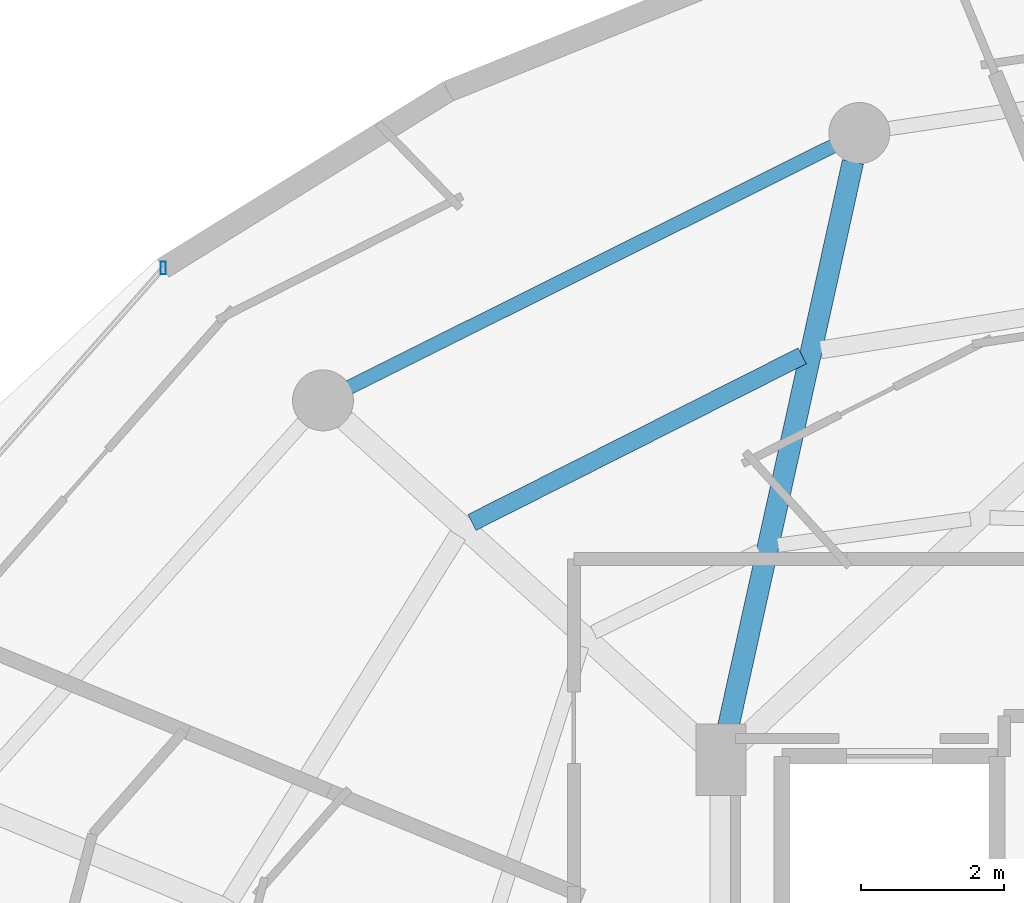
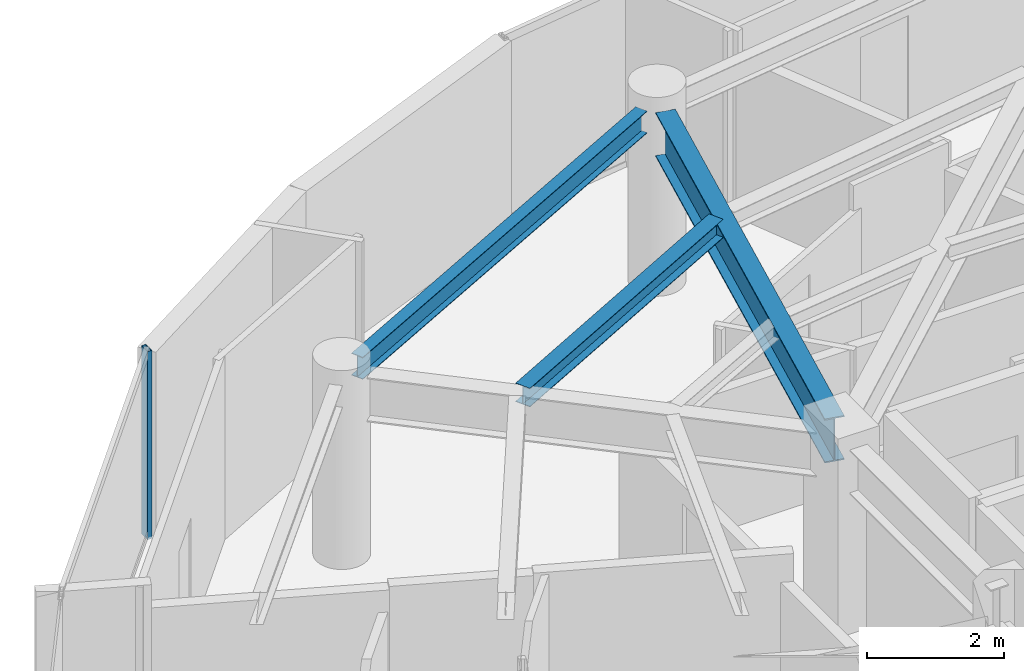
# One storey, part 17 of 31: 3 beams, 1 member, 1 element without a shape of its own.
"""IFC4 building model written with IfcOpenShell, lengths in metres."""

from ifc_helpers import new_model, si_unit, direction, frame, origin, origin_2d, place, context, subcontext, project, spatial, hollow_rectangle, i_section, extrude, material, material_profile, profile_set, type_object, element, aggregate, save


model = new_model("IFC4")

# Units and contexts
model_context = context("Model", 3, precision=1e-05, world=origin(), true_north=direction((0.0, 1.0)))
body_context = subcontext(model_context, "Body", "Model", "MODEL_VIEW")
ifc_project = project(units=[si_unit("LENGTHUNIT", "METRE"), si_unit("AREAUNIT", "SQUARE_METRE"), si_unit("VOLUMEUNIT", "CUBIC_METRE"), si_unit("PLANEANGLEUNIT", "RADIAN"), si_unit("MASSUNIT", "GRAM", prefix="KILO")], contexts=[model_context])

# Site, building, storey
site_placement = place(None, origin())
site = spatial("IfcSite", under=ifc_project, at=site_placement, CompositionType="ELEMENT")
building_placement = place(site_placement, origin())
building = spatial("IfcBuilding", under=site, at=building_placement, Name="Vorneva Point Tower", CompositionType="ELEMENT")
storey_placement = place(building_placement, frame((0.0, 0.0, 266.199951171875)))
storey = spatial("IfcBuildingStorey", under=building, at=storey_placement, Name="L72", CompositionType="ELEMENT", Elevation=266.199951171875)

# Beams
ifc_material_1 = material(Name="Steel S355", Category="steel")
ifc_material_profile_1 = material_profile(ifc_material_1, i_section(OverallWidth=0.300048828125, OverallDepth=0.7880859375, WebThickness=0.014404296875, FlangeThickness=0.02197265625, at=origin_2d()), Name="80Sh1")
ifc_profile_set_1 = profile_set([ifc_material_profile_1], Name="Steel S355")
beam_type_1 = type_object("IfcBeamType", Name="BM-GRD-80Sh1", PredefinedType="USERDEFINED", material=ifc_profile_set_1)
beam_1_placement = place(storey_placement, frame((29.090087890625, 41.4873046875, 2.89599609375), z_axis=(-0.215520742957, -0.976499262342, 0.0), x_axis=(0.976499262342, -0.215520742957, 0.0)))
element("IfcBeam", 1, at=beam_1_placement, inside=storey, type_object=beam_type_1, Name="L72 Radial Primary Girder 06", ObjectType="GIRDER", PredefinedType="USERDEFINED", context=body_context, shape_type="SweptSolid", body=[
    extrude(i_section(OverallWidth=0.300048828125, OverallDepth=0.7880859375, WebThickness=0.014404296875, FlangeThickness=0.02197265625, at=origin_2d()), origin(), (0.0, 0.0, 1.0), 8.197998046875),
])
ifc_material_profile_2 = material_profile(ifc_material_1, i_section(OverallWidth=0.2490234375, OverallDepth=0.333984375, WebThickness=0.008056640625, FlangeThickness=0.010986328125, at=origin_2d()), Name="35Sh1")
ifc_profile_set_2 = profile_set([ifc_material_profile_2], Name="Steel S355")
beam_type_2 = type_object("IfcBeamType", Name="BM-SEC-35Sh1", PredefinedType="BEAM", material=ifc_profile_set_2)
beam_2_placement = place(storey_placement, frame((28.3837890625, 38.783447265625, 3.123046875), z_axis=(-0.892860048752, -0.450334246246, 0.0), x_axis=(0.450334246246, -0.892860048752, 0.0)))
element("IfcBeam", 2, at=beam_2_placement, inside=storey, type_object=beam_type_2, Name="L72 Secondary Floor Beam 1.06", PredefinedType="BEAM", context=body_context, shape_type="SweptSolid", body=[
    extrude(i_section(OverallWidth=0.2490234375, OverallDepth=0.333984375, WebThickness=0.008056640625, FlangeThickness=0.010986328125, at=origin_2d()), origin(), (0.0, 0.0, 1.0), 5.158935546875),
])
ifc_material_profile_3 = material_profile(ifc_material_1, i_section(OverallWidth=0.198974609375, OverallDepth=0.39599609375, WebThickness=0.007080078125, FlangeThickness=0.010986328125, at=origin_2d()), Name="40B1")
ifc_profile_set_3 = profile_set([ifc_material_profile_3], Name="Steel S355")
beam_type_3 = type_object("IfcBeamType", Name="BM-SPN-40B1", PredefinedType="SPANDREL", material=ifc_profile_set_3)
beam_3_placement = place(storey_placement, frame((28.812255859375, 41.707763671875, 3.092041015625), z_axis=(-0.894932011528, -0.446202526599, 0.0), x_axis=(0.446202526599, -0.894932011528, 0.0)))
element("IfcBeam", 3, at=beam_3_placement, inside=storey, type_object=beam_type_3, Name="L72 Perimeter Spandrel Ring Beam 06", PredefinedType="SPANDREL", context=body_context, shape_type="SweptSolid", body=[
    extrude(i_section(OverallWidth=0.198974609375, OverallDepth=0.39599609375, WebThickness=0.007080078125, FlangeThickness=0.010986328125, at=origin_2d()), origin(), (0.0, 0.0, 1.0), 7.535888671875),
])

# Curtain wall, member
ifc_material_2 = material(Name="Pale anodised aluminium", Category="aluminium")
curtain_wall_type = type_object("IfcCurtainWallType", Name="CW-RES-SYS", PredefinedType="NOTDEFINED", material=ifc_material_2)
curtain_wall_placement = place(storey_placement, origin())
curtain_wall = element("IfcCurtainWall", 4, at=curtain_wall_placement, inside=storey, type_object=curtain_wall_type, Name="L72 Unitised Curtain Wall CW-L72-R03", PredefinedType="NOTDEFINED")
ifc_material_profile_4 = material_profile(ifc_material_2, hollow_rectangle(XDim=0.074951171875, YDim=0.179931640625, WallThickness=0.00390625, at=origin_2d()), Name="AL-MUL 180x75x4")
ifc_profile_set_4 = profile_set([ifc_material_profile_4], Name="Pale anodised aluminium")
member_type = type_object("IfcMemberType", Name="CW-MUL-180", PredefinedType="MULLION", material=ifc_profile_set_4)
member_placement = place(storey_placement, frame((19.473876953125, 40.0078125, -0.0400390625), z_axis=(0.0, 0.0, 1.0), x_axis=(1.0, 0.0, 0.0)))
member = element("IfcMember", 5, at=member_placement, type_object=member_type, Name="CW-L72-R03 Mullion 01", PredefinedType="MULLION", context=body_context, shape_type="SweptSolid", body=[
    extrude(hollow_rectangle(XDim=0.074951171875, YDim=0.179931640625, WallThickness=0.00390625, at=origin_2d()), origin(), (0.0, 0.0, 1.0), 3.360107421875),
])
aggregate(curtain_wall, [member])

save(model, "model.ifc")
